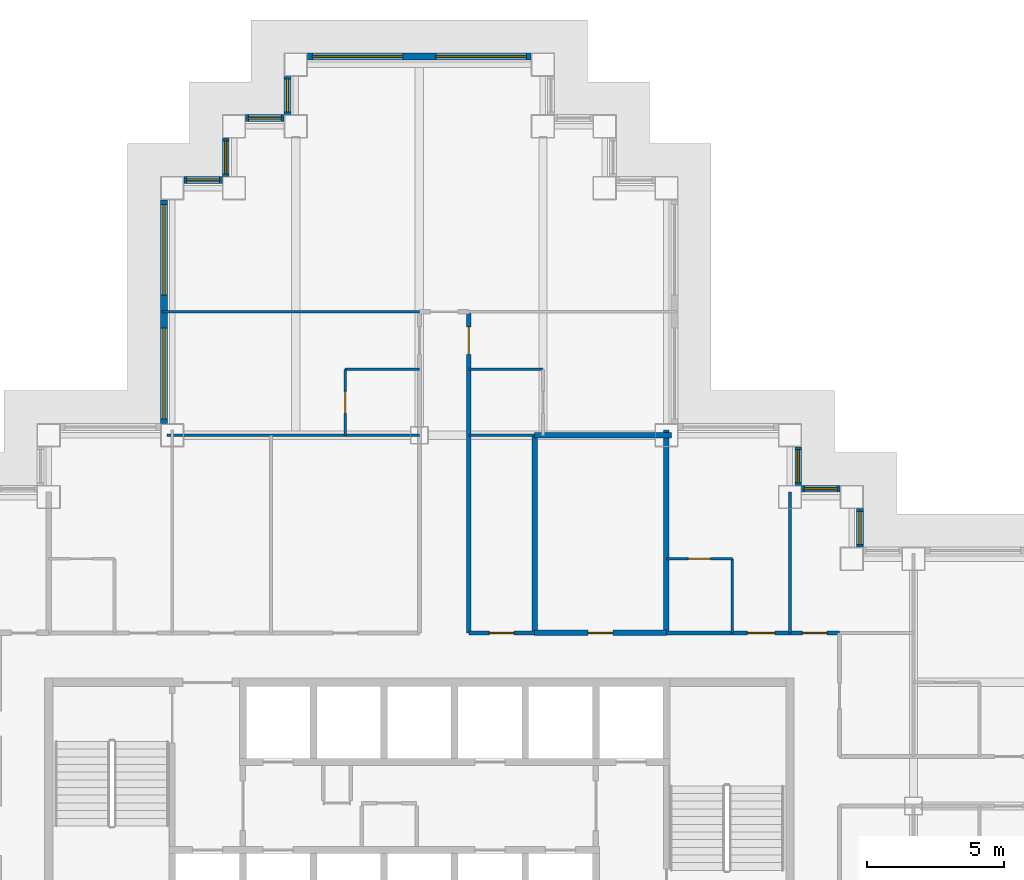
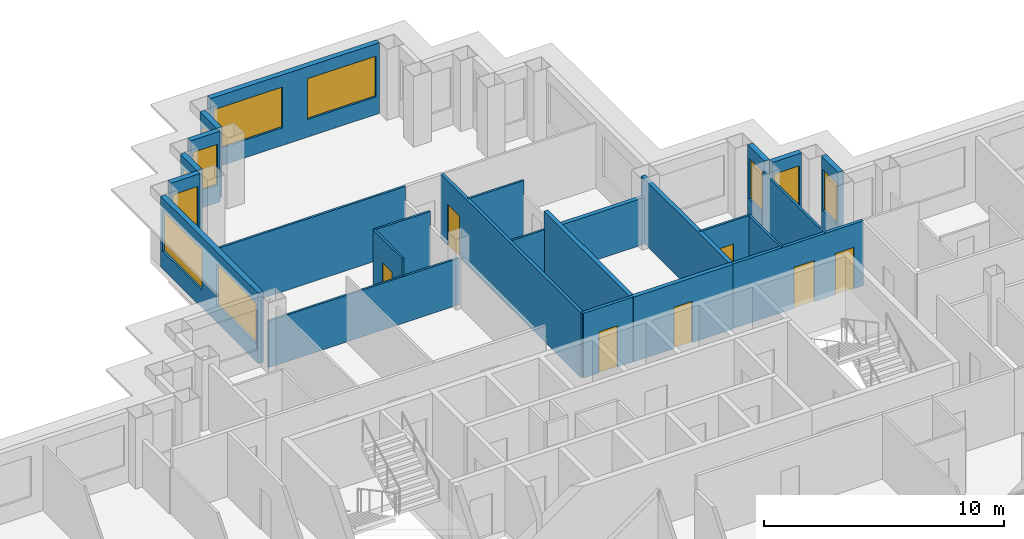
# One storey, part 9 of 15: 25 walls, 11 windows, 7 doors, 18 openings.
"""IFC4 building model written with IfcOpenShell, lengths in metres."""

from ifc_helpers import new_model, si_unit, direction, frame, frame_2d, origin, place, context, subcontext, project, spatial, rectangle, extrude, material, layer, layer_set, type_object, element, fill, save


model = new_model("IFC4")

# Units and contexts
model_context = context("Model", 3, precision=1e-05, world=origin(), true_north=direction((0.0, 1.0)))
body_context = subcontext(model_context, "Body", "Model", "MODEL_VIEW")
ifc_project = project(units=[si_unit("LENGTHUNIT", "METRE"), si_unit("AREAUNIT", "SQUARE_METRE"), si_unit("VOLUMEUNIT", "CUBIC_METRE"), si_unit("PLANEANGLEUNIT", "RADIAN"), si_unit("MASSUNIT", "GRAM", prefix="KILO")], contexts=[model_context])

# Site, building, storey
site_placement = place(None, origin())
site = spatial("IfcSite", under=ifc_project, at=site_placement, CompositionType="ELEMENT")
building_placement = place(site_placement, origin())
building = spatial("IfcBuilding", under=site, at=building_placement, Name="Caravel Reach Hotel and Residences", CompositionType="ELEMENT")
storey_placement = place(building_placement, frame((0.0, 0.0, 122.39990234375)))
storey = spatial("IfcBuildingStorey", under=building, at=storey_placement, Name="L30", CompositionType="ELEMENT", Elevation=122.39990234375)

# Wall, opening, door
ifc_material_1 = material(Name="Gypsum board on steel stud", Category="steel")
ifc_layer_1 = layer(ifc_material_1, 0.10009765625)
ifc_layer_set_1 = layer_set([ifc_layer_1], Name="Bathroom pod wall 100 mm")
wall_type_1 = type_object("IfcWallType", Name="Bathroom pod wall 100 mm", PredefinedType="PARTITIONING", material=ifc_layer_set_1)
wall_1_placement = place(storey_placement, frame((40.5, 36.0, 0.0), z_axis=(0.0, 0.0, 1.0), x_axis=(1.0, 0.0, 0.0)))
wall_1 = element("IfcWall", 1, at=wall_1_placement, inside=storey, type_object=wall_type_1, Name="L30 wall w078", PredefinedType="PARTITIONING", context=body_context, shape_type="SweptSolid", body=[
    extrude(rectangle(XDim=2.39990234375, YDim=0.10009765625, at=frame_2d((1.199951171875, 0.0))), origin(), (0.0, 0.0, 1.0), 3.300048828125),
])
opening_1_placement = place(wall_1_placement, frame((0.800048828125, 0.0, 0.0)))
opening_1 = element("IfcOpeningElement", 2, at=opening_1_placement, cuts=wall_1, Name="Opening D30-044", PredefinedType="OPENING", context=body_context, shape_type="SweptSolid", body=[
    extrude(rectangle(XDim=0.800048828125, YDim=2.10009765625, at=frame_2d((0.39990234375, 1.050048828125))), frame((0.0, 0.06005859375, 0.0), z_axis=(0.0, -1.0, 0.0), x_axis=(1.0, 0.0, 0.0)), (0.0, 0.0, 1.0), 0.1201171875),
])
ifc_material_2 = material(Name="Timber and steel door leaf", Category="steel")
door_type_1 = type_object("IfcDoorType", Name="Bathroom door 800 x 2100", OperationType="SINGLE_SWING_LEFT", PredefinedType="DOOR", material=ifc_material_2)
door_1_placement = place(opening_1_placement, origin())
door_1 = element("IfcDoor", 3, at=door_1_placement, inside=storey, type_object=door_type_1, Name="door D30-044", OperationType="SINGLE_SWING_RIGHT", OverallHeight=2.10009765625, OverallWidth=0.800048828125, PredefinedType="DOOR", context=body_context, shape_type="SweptSolid", body=[
    extrude(rectangle(XDim=0.800048828125, YDim=2.10009765625, at=frame_2d((0.39990234375, 1.050048828125))), frame((0.0, 0.02490234375, 0.0), z_axis=(0.0, -1.0, 0.0), x_axis=(1.0, 0.0, 0.0)), (0.0, 0.0, 1.0), 0.050048828125),
])
fill(opening_1, door_1)

# Walls
for number, where, z_axis, x_axis, name in (
    (4, (33.300048828125, 42.89990234375, 0.0), (0.0, 0.0, 1.0), (1.0, 0.0, 0.0), "L30 wall w079"),
    (5, (28.800048828125, 42.89990234375, 0.0), (0.0, 0.0, 1.0), (1.0, 0.0, 0.0), "L30 wall w080"),
):
    element("IfcWall", number, at=place(storey_placement, frame(where, z_axis=z_axis, x_axis=x_axis)), inside=storey, type_object=wall_type_1, Name=name, PredefinedType="PARTITIONING", context=body_context, shape_type="SweptSolid", body=[
        extrude(rectangle(XDim=2.699951171875, YDim=0.10009765625, at=frame_2d((1.35009765625, 0.0))), origin(), (0.0, 0.0, 1.0), 3.300048828125),
    ])

# Wall, opening, door
wall_2_placement = place(storey_placement, frame((28.800048828125, 40.5, 0.0), z_axis=(0.0, 0.0, 1.0), x_axis=(0.0, 1.0, 0.0)))
wall_2 = element("IfcWall", 6, at=wall_2_placement, inside=storey, type_object=wall_type_1, Name="L30 wall w087", PredefinedType="PARTITIONING", context=body_context, shape_type="SweptSolid", body=[
    extrude(rectangle(XDim=2.39990234375, YDim=0.10009765625, at=frame_2d((1.199951171875, 0.0))), origin(), (0.0, 0.0, 1.0), 3.300048828125),
])
opening_2_placement = place(wall_2_placement, frame((0.800048828125, 0.0, 0.0)))
opening_2 = element("IfcOpeningElement", 7, at=opening_2_placement, cuts=wall_2, Name="Opening D30-029", PredefinedType="OPENING", context=body_context, shape_type="SweptSolid", body=[
    extrude(rectangle(XDim=0.800048828125, YDim=2.10009765625, at=frame_2d((0.39990234375, 1.050048828125))), frame((0.0, 0.06005859375, 0.0), z_axis=(0.0, -1.0, 0.0), x_axis=(1.0, 0.0, 0.0)), (0.0, 0.0, 1.0), 0.1201171875),
])
door_2_placement = place(opening_2_placement, origin())
door_2 = element("IfcDoor", 8, at=door_2_placement, inside=storey, type_object=door_type_1, Name="door D30-029", OperationType="SINGLE_SWING_RIGHT", OverallHeight=2.10009765625, OverallWidth=0.800048828125, PredefinedType="DOOR", context=body_context, shape_type="SweptSolid", body=[
    extrude(rectangle(XDim=0.800048828125, YDim=2.10009765625, at=frame_2d((0.39990234375, 1.050048828125))), frame((0.0, 0.02490234375, 0.0), z_axis=(0.0, -1.0, 0.0), x_axis=(1.0, 0.0, 0.0)), (0.0, 0.0, 1.0), 0.050048828125),
])
fill(opening_2, door_2)

# Wall
wall_3_placement = place(storey_placement, frame((42.89990234375, 33.300048828125, 0.0), z_axis=(0.0, 0.0, 1.0), x_axis=(0.0, 1.0, 0.0)))
element("IfcWall", 9, at=wall_3_placement, inside=storey, type_object=wall_type_1, Name="L30 wall w090", PredefinedType="PARTITIONING", context=body_context, shape_type="SweptSolid", body=[
    extrude(rectangle(XDim=2.699951171875, YDim=0.10009765625, at=frame_2d((1.35009765625, 0.0))), origin(), (0.0, 0.0, 1.0), 3.300048828125),
])

# Wall, opening, door
ifc_material_3 = material(Name="Autoclaved aerated block wall")
ifc_layer_2 = layer(ifc_material_3, 0.199951171875)
ifc_layer_set_2 = layer_set([ifc_layer_2], Name="Compartment wall 200 mm EI 120")
wall_type_2 = type_object("IfcWallType", Name="Compartment wall 200 mm EI 120", PredefinedType="PARTITIONING", material=ifc_layer_set_2)
wall_4_placement = place(storey_placement, frame((35.699951171875, 33.300048828125, 0.0), z_axis=(0.0, 0.0, 1.0), x_axis=(1.0, 0.0, 0.0)))
wall_4 = element("IfcWall", 10, at=wall_4_placement, inside=storey, type_object=wall_type_2, Name="L30 wall w096", PredefinedType="PARTITIONING", context=body_context, shape_type="SweptSolid", body=[
    extrude(rectangle(XDim=4.800048828125, YDim=0.199951171875, at=frame_2d((2.39990234375, 0.0))), origin(), (0.0, 0.0, 1.0), 3.300048828125),
])
opening_3_placement = place(wall_4_placement, frame((1.949951171875, 0.0, 0.0)))
opening_3 = element("IfcOpeningElement", 11, at=opening_3_placement, cuts=wall_4, Name="Opening D30-053", PredefinedType="OPENING", context=body_context, shape_type="SweptSolid", body=[
    extrude(rectangle(XDim=0.89990234375, YDim=2.10009765625, at=frame_2d((0.449951171875, 1.050048828125))), frame((0.0, 0.10986328125, 0.0), z_axis=(0.0, -1.0, 0.0), x_axis=(1.0, 0.0, 0.0)), (0.0, 0.0, 1.0), 0.219970703125),
])
ifc_material_4 = material(Name="Steel fire door leaf", Category="steel")
door_type_2 = type_object("IfcDoorType", Name="Riser door 900 x 2100 EI 60", OperationType="SINGLE_SWING_LEFT", PredefinedType="DOOR", material=ifc_material_4)
door_3_placement = place(opening_3_placement, origin())
door_3 = element("IfcDoor", 12, at=door_3_placement, inside=storey, type_object=door_type_2, Name="door D30-053", OperationType="SINGLE_SWING_RIGHT", OverallHeight=2.10009765625, OverallWidth=0.89990234375, PredefinedType="DOOR", context=body_context, shape_type="SweptSolid", body=[
    extrude(rectangle(XDim=0.89990234375, YDim=2.10009765625, at=frame_2d((0.449951171875, 1.050048828125))), frame((0.0, 0.02490234375, 0.0), z_axis=(0.0, -1.0, 0.0), x_axis=(1.0, 0.0, 0.0)), (0.0, 0.0, 1.0), 0.050048828125),
])
fill(opening_3, door_3)

# Walls
wall_5_placement = place(storey_placement, frame((35.699951171875, 40.5, 0.0), z_axis=(0.0, 0.0, 1.0), x_axis=(1.0, 0.0, 0.0)))
element("IfcWall", 13, at=wall_5_placement, inside=storey, type_object=wall_type_2, Name="L30 wall w099", PredefinedType="PARTITIONING", context=body_context, shape_type="SweptSolid", body=[
    extrude(rectangle(XDim=4.989990234375, YDim=0.199951171875, at=frame_2d((2.4951171875, 0.0))), origin(), (0.0, 0.0, 1.0), 2.380126953125),
])
wall_6_placement = place(storey_placement, frame((35.699951171875, 33.300048828125, 0.0), z_axis=(0.0, 0.0, 1.0), x_axis=(0.0, 1.0, 0.0)))
element("IfcWall", 14, at=wall_6_placement, inside=storey, type_object=wall_type_2, Name="L30 wall w102", PredefinedType="PARTITIONING", context=body_context, shape_type="SweptSolid", body=[
    extrude(rectangle(XDim=7.199951171875, YDim=0.199951171875, at=frame_2d((3.60009765625, 0.0))), origin(), (0.0, 0.0, 1.0), 3.300048828125),
])
wall_7_placement = place(storey_placement, frame((40.5, 33.300048828125, 0.0), z_axis=(0.0, 0.0, 1.0), x_axis=(0.0, 1.0, 0.0)))
element("IfcWall", 15, at=wall_7_placement, inside=storey, type_object=wall_type_2, Name="L30 wall w103", PredefinedType="PARTITIONING", context=body_context, shape_type="SweptSolid", body=[
    extrude(rectangle(XDim=7.389892578125, YDim=0.199951171875, at=frame_2d((3.69482421875, 0.0))), origin(), (0.0, 0.0, 1.0), 3.300048828125),
])

# Wall, openings, doors
ifc_material_5 = material(Name="Gypsum board on steel stud, fire-rated", Category="steel")
ifc_layer_3 = layer(ifc_material_5, 0.14990234375)
ifc_layer_set_3 = layer_set([ifc_layer_3], Name="Corridor wall 150 mm EI 60")
wall_type_3 = type_object("IfcWallType", Name="Corridor wall 150 mm EI 60", PredefinedType="PARTITIONING", material=ifc_layer_set_3)
wall_8_placement = place(storey_placement, frame((40.5, 33.300048828125, 0.0), z_axis=(0.0, 0.0, 1.0), x_axis=(1.0, 0.0, 0.0)))
wall_8 = element("IfcWall", 16, at=wall_8_placement, inside=storey, type_object=wall_type_3, Name="L30 wall w016", PredefinedType="PARTITIONING", context=body_context, shape_type="SweptSolid", body=[
    extrude(rectangle(XDim=6.300048828125, YDim=0.14990234375, at=frame_2d((3.14990234375, 0.0))), origin(), (0.0, 0.0, 1.0), 3.300048828125),
])
opening_4_placement = place(wall_8_placement, frame((2.949951171875, 0.0, 0.0)))
opening_4 = element("IfcOpeningElement", 17, at=opening_4_placement, cuts=wall_8, Name="Opening D30-043", PredefinedType="OPENING", context=body_context, shape_type="SweptSolid", body=[
    extrude(rectangle(XDim=1.0, YDim=2.10009765625, at=frame_2d((0.5, 1.050048828125))), frame((0.0, 0.0849609375, 0.0), z_axis=(0.0, -1.0, 0.0), x_axis=(1.0, 0.0, 0.0)), (0.0, 0.0, 1.0), 0.169921875),
])
opening_5_placement = place(wall_8_placement, frame((4.949951171875, 0.0, 0.0)))
opening_5 = element("IfcOpeningElement", 18, at=opening_5_placement, cuts=wall_8, Name="Opening D30-045", PredefinedType="OPENING", context=body_context, shape_type="SweptSolid", body=[
    extrude(rectangle(XDim=0.89990234375, YDim=2.10009765625, at=frame_2d((0.449951171875, 1.050048828125))), frame((0.0, 0.0849609375, 0.0), z_axis=(0.0, -1.0, 0.0), x_axis=(1.0, 0.0, 0.0)), (0.0, 0.0, 1.0), 0.169921875),
])
ifc_material_6 = material(Name="Timber and steel door leaf", Category="steel")
door_type_3 = type_object("IfcDoorType", Name="Door 900 x 2100 timber", OperationType="SINGLE_SWING_LEFT", PredefinedType="DOOR", material=ifc_material_6)
door_4_placement = place(opening_5_placement, origin())
door_4 = element("IfcDoor", 19, at=door_4_placement, inside=storey, type_object=door_type_3, Name="door D30-045", OperationType="SINGLE_SWING_RIGHT", OverallHeight=2.10009765625, OverallWidth=0.89990234375, PredefinedType="DOOR", context=body_context, shape_type="SweptSolid", body=[
    extrude(rectangle(XDim=0.89990234375, YDim=2.10009765625, at=frame_2d((0.449951171875, 1.050048828125))), frame((0.0, 0.02490234375, 0.0), z_axis=(0.0, -1.0, 0.0), x_axis=(1.0, 0.0, 0.0)), (0.0, 0.0, 1.0), 0.050048828125),
])
fill(opening_5, door_4)
ifc_material_7 = material(Name="Steel fire door leaf", Category="steel")
door_type_4 = type_object("IfcDoorType", Name="Guest room door 1000 x 2100 EI 30", OperationType="SINGLE_SWING_LEFT", PredefinedType="DOOR", material=ifc_material_7)
door_5_placement = place(opening_4_placement, origin())
door_5 = element("IfcDoor", 20, at=door_5_placement, inside=storey, type_object=door_type_4, Name="door D30-043", OperationType="SINGLE_SWING_RIGHT", OverallHeight=2.10009765625, OverallWidth=1.0, PredefinedType="DOOR", context=body_context, shape_type="SweptSolid", body=[
    extrude(rectangle(XDim=1.0, YDim=2.10009765625, at=frame_2d((0.5, 1.050048828125))), frame((0.0, 0.02490234375, 0.0), z_axis=(0.0, -1.0, 0.0), x_axis=(1.0, 0.0, 0.0)), (0.0, 0.0, 1.0), 0.050048828125),
])
fill(opening_4, door_5)

# Wall, opening, door
wall_9_placement = place(storey_placement, frame((33.300048828125, 33.300048828125, 0.0), z_axis=(0.0, 0.0, 1.0), x_axis=(1.0, 0.0, 0.0)))
wall_9 = element("IfcWall", 21, at=wall_9_placement, inside=storey, type_object=wall_type_3, Name="L30 wall w019", PredefinedType="PARTITIONING", context=body_context, shape_type="SweptSolid", body=[
    extrude(rectangle(XDim=2.39990234375, YDim=0.14990234375, at=frame_2d((1.199951171875, 0.0))), origin(), (0.0, 0.0, 1.0), 3.300048828125),
])
opening_6_placement = place(wall_9_placement, frame((0.75, 0.0, 0.0)))
opening_6 = element("IfcOpeningElement", 22, at=opening_6_placement, cuts=wall_9, Name="Opening D30-052", PredefinedType="OPENING", context=body_context, shape_type="SweptSolid", body=[
    extrude(rectangle(XDim=0.89990234375, YDim=2.10009765625, at=frame_2d((0.449951171875, 1.050048828125))), frame((0.0, 0.0849609375, 0.0), z_axis=(0.0, -1.0, 0.0), x_axis=(1.0, 0.0, 0.0)), (0.0, 0.0, 1.0), 0.169921875),
])
door_6_placement = place(opening_6_placement, origin())
door_6 = element("IfcDoor", 23, at=door_6_placement, inside=storey, type_object=door_type_3, Name="door D30-052", OperationType="SINGLE_SWING_RIGHT", OverallHeight=2.10009765625, OverallWidth=0.89990234375, PredefinedType="DOOR", context=body_context, shape_type="SweptSolid", body=[
    extrude(rectangle(XDim=0.89990234375, YDim=2.10009765625, at=frame_2d((0.449951171875, 1.050048828125))), frame((0.0, 0.02490234375, 0.0), z_axis=(0.0, -1.0, 0.0), x_axis=(1.0, 0.0, 0.0)), (0.0, 0.0, 1.0), 0.050048828125),
])
fill(opening_6, door_6)

wall_10_placement = place(storey_placement, frame((33.300048828125, 33.300048828125, 0.0), z_axis=(0.0, 0.0, 1.0), x_axis=(0.0, 1.0, 0.0)))
wall_10 = element("IfcWall", 24, at=wall_10_placement, inside=storey, type_object=wall_type_3, Name="L30 wall w032", PredefinedType="PARTITIONING", context=body_context, shape_type="SweptSolid", body=[
    extrude(rectangle(XDim=11.699951171875, YDim=0.14990234375, at=frame_2d((5.85009765625, 0.0))), origin(), (0.0, 0.0, 1.0), 3.300048828125),
])
opening_7_placement = place(wall_10_placement, frame((10.14990234375, 0.0, 0.0)))
opening_7 = element("IfcOpeningElement", 25, at=opening_7_placement, cuts=wall_10, Name="Opening D30-030", PredefinedType="OPENING", context=body_context, shape_type="SweptSolid", body=[
    extrude(rectangle(XDim=1.0, YDim=2.10009765625, at=frame_2d((0.5, 1.050048828125))), frame((0.0, 0.0849609375, 0.0), z_axis=(0.0, -1.0, 0.0), x_axis=(1.0, 0.0, 0.0)), (0.0, 0.0, 1.0), 0.169921875),
])
door_7_placement = place(opening_7_placement, origin())
door_7 = element("IfcDoor", 26, at=door_7_placement, inside=storey, type_object=door_type_4, Name="door D30-030", OperationType="SINGLE_SWING_RIGHT", OverallHeight=2.10009765625, OverallWidth=1.0, PredefinedType="DOOR", context=body_context, shape_type="SweptSolid", body=[
    extrude(rectangle(XDim=1.0, YDim=2.10009765625, at=frame_2d((0.5, 1.050048828125))), frame((0.0, 0.02490234375, 0.0), z_axis=(0.0, -1.0, 0.0), x_axis=(1.0, 0.0, 0.0)), (0.0, 0.0, 1.0), 0.050048828125),
])
fill(opening_7, door_7)

# Wall, opening, window
ifc_material_8 = material(Name="Insulated rainscreen wall, aluminium cladding", Category="aluminium")
ifc_layer_4 = layer(ifc_material_8, 0.25)
ifc_layer_set_4 = layer_set([ifc_layer_4], Name="EW1 Tower rainscreen wall")
wall_type_4 = type_object("IfcWallType", Name="EW1 Tower rainscreen wall", PredefinedType="SOLIDWALL", material=ifc_layer_set_4)
wall_11_placement = place(storey_placement, frame((47.550048828125, 36.425048828125, 0.0), z_axis=(0.0, 0.0, 1.0), x_axis=(0.0, 1.0, 0.0)))
wall_11 = element("IfcWall", 27, at=wall_11_placement, inside=storey, type_object=wall_type_4, Name="External wall L30 E26.1", PredefinedType="SOLIDWALL", context=body_context, shape_type="SweptSolid", body=[
    extrude(rectangle(XDim=1.39990234375, YDim=0.25, at=frame_2d((0.699951171875, 0.0))), origin(), (0.0, 0.0, 1.0), 3.60009765625),
])
opening_8_placement = place(wall_11_placement, frame((0.10009765625, 0.0, 0.89990234375)))
opening_8 = element("IfcOpeningElement", 28, at=opening_8_placement, cuts=wall_11, Name="Opening WN9", PredefinedType="OPENING", context=body_context, shape_type="SweptSolid", body=[
    extrude(rectangle(XDim=1.199951171875, YDim=2.080078125, at=frame_2d((0.60009765625, 1.0400390625))), frame((0.0, 0.135009765625, 0.0), z_axis=(0.0, -1.0, 0.0), x_axis=(1.0, 0.0, 0.0)), (0.0, 0.0, 1.0), 0.27001953125),
])
ifc_material_9 = material(Name="Dark low-e glazing in black aluminium frame", Category="aluminium")
window_type_1 = type_object("IfcWindowType", Name="Hotel suite corner window 1200 x 2080", PartitioningType="SINGLE_PANEL", PredefinedType="WINDOW", material=ifc_material_9)
window_1_placement = place(opening_8_placement, origin())
window_1 = element("IfcWindow", 29, at=window_1_placement, inside=storey, type_object=window_type_1, Name="Window L30 E26.1.1", OverallHeight=2.080078125, OverallWidth=1.199951171875, PartitioningType="SINGLE_PANEL", PredefinedType="WINDOW", context=body_context, shape_type="SweptSolid", body=[
    extrude(rectangle(XDim=1.199951171875, YDim=2.080078125, at=frame_2d((0.60009765625, 1.0400390625))), frame((0.0, 0.030029296875, 0.0), z_axis=(0.0, -1.0, 0.0), x_axis=(1.0, 0.0, 0.0)), (0.0, 0.0, 1.0), 0.06005859375),
])
fill(opening_8, window_1)

wall_12_placement = place(storey_placement, frame((46.824951171875, 38.550048828125, 0.0), z_axis=(0.0, 0.0, 1.0), x_axis=(-1.0, 0.0, 0.0)))
wall_12 = element("IfcWall", 30, at=wall_12_placement, inside=storey, type_object=wall_type_4, Name="External wall L30 N27.1", PredefinedType="SOLIDWALL", context=body_context, shape_type="SweptSolid", body=[
    extrude(rectangle(XDim=1.39990234375, YDim=0.25, at=frame_2d((0.699951171875, 0.0))), origin(), (0.0, 0.0, 1.0), 3.60009765625),
])
opening_9_placement = place(wall_12_placement, frame((0.10009765625, 0.0, 0.89990234375)))
opening_9 = element("IfcOpeningElement", 31, at=opening_9_placement, cuts=wall_12, Name="Opening WN9", PredefinedType="OPENING", context=body_context, shape_type="SweptSolid", body=[
    extrude(rectangle(XDim=1.199951171875, YDim=2.080078125, at=frame_2d((0.60009765625, 1.0400390625))), frame((0.0, 0.135009765625, 0.0), z_axis=(0.0, -1.0, 0.0), x_axis=(1.0, 0.0, 0.0)), (0.0, 0.0, 1.0), 0.27001953125),
])
window_2_placement = place(opening_9_placement, origin())
window_2 = element("IfcWindow", 32, at=window_2_placement, inside=storey, type_object=window_type_1, Name="Window L30 N27.1.1", OverallHeight=2.080078125, OverallWidth=1.199951171875, PartitioningType="SINGLE_PANEL", PredefinedType="WINDOW", context=body_context, shape_type="SweptSolid", body=[
    extrude(rectangle(XDim=1.199951171875, YDim=2.080078125, at=frame_2d((0.60009765625, 1.0400390625))), frame((0.0, 0.030029296875, 0.0), z_axis=(0.0, -1.0, 0.0), x_axis=(1.0, 0.0, 0.0)), (0.0, 0.0, 1.0), 0.06005859375),
])
fill(opening_9, window_2)

wall_13_placement = place(storey_placement, frame((45.300048828125, 38.675048828125, 0.0), z_axis=(0.0, 0.0, 1.0), x_axis=(0.0, 1.0, 0.0)))
wall_13 = element("IfcWall", 33, at=wall_13_placement, inside=storey, type_object=wall_type_4, Name="External wall L30 E28.1", PredefinedType="SOLIDWALL", context=body_context, shape_type="SweptSolid", body=[
    extrude(rectangle(XDim=1.39990234375, YDim=0.25, at=frame_2d((0.699951171875, 0.0))), origin(), (0.0, 0.0, 1.0), 3.60009765625),
])
opening_10_placement = place(wall_13_placement, frame((0.10009765625, 0.0, 0.89990234375)))
opening_10 = element("IfcOpeningElement", 34, at=opening_10_placement, cuts=wall_13, Name="Opening WN9", PredefinedType="OPENING", context=body_context, shape_type="SweptSolid", body=[
    extrude(rectangle(XDim=1.199951171875, YDim=2.080078125, at=frame_2d((0.60009765625, 1.0400390625))), frame((0.0, 0.135009765625, 0.0), z_axis=(0.0, -1.0, 0.0), x_axis=(1.0, 0.0, 0.0)), (0.0, 0.0, 1.0), 0.27001953125),
])
window_3_placement = place(opening_10_placement, origin())
window_3 = element("IfcWindow", 35, at=window_3_placement, inside=storey, type_object=window_type_1, Name="Window L30 E28.1.1", OverallHeight=2.080078125, OverallWidth=1.199951171875, PartitioningType="SINGLE_PANEL", PredefinedType="WINDOW", context=body_context, shape_type="SweptSolid", body=[
    extrude(rectangle(XDim=1.199951171875, YDim=2.080078125, at=frame_2d((0.60009765625, 1.0400390625))), frame((0.0, 0.030029296875, 0.0), z_axis=(0.0, -1.0, 0.0), x_axis=(1.0, 0.0, 0.0)), (0.0, 0.0, 1.0), 0.06005859375),
])
fill(opening_10, window_3)

# Wall, openings, windows
wall_14_placement = place(storey_placement, frame((35.574951171875, 54.300048828125, 0.0), z_axis=(0.0, 0.0, 1.0), x_axis=(-1.0, 0.0, 0.0)))
wall_14 = element("IfcWall", 36, at=wall_14_placement, inside=storey, type_object=wall_type_4, Name="External wall L30 N35.1", PredefinedType="SOLIDWALL", context=body_context, shape_type="SweptSolid", body=[
    extrude(rectangle(XDim=8.14990234375, YDim=0.25, at=frame_2d((4.074951171875, 0.0))), origin(), (0.0, 0.0, 1.0), 3.60009765625),
])
opening_11_placement = place(wall_14_placement, frame((0.175048828125, 0.0, 0.89990234375)))
opening_11 = element("IfcOpeningElement", 37, at=opening_11_placement, cuts=wall_14, Name="Opening WN4", PredefinedType="OPENING", context=body_context, shape_type="SweptSolid", body=[
    extrude(rectangle(XDim=3.300048828125, YDim=2.080078125, at=frame_2d((1.64990234375, 1.0400390625))), frame((0.0, 0.135009765625, 0.0), z_axis=(0.0, -1.0, 0.0), x_axis=(1.0, 0.0, 0.0)), (0.0, 0.0, 1.0), 0.27001953125),
])
opening_12_placement = place(wall_14_placement, frame((4.675048828125, 0.0, 0.89990234375)))
opening_12 = element("IfcOpeningElement", 38, at=opening_12_placement, cuts=wall_14, Name="Opening WN4", PredefinedType="OPENING", context=body_context, shape_type="SweptSolid", body=[
    extrude(rectangle(XDim=3.300048828125, YDim=2.080078125, at=frame_2d((1.64990234375, 1.0400390625))), frame((0.0, 0.135009765625, 0.0), z_axis=(0.0, -1.0, 0.0), x_axis=(1.0, 0.0, 0.0)), (0.0, 0.0, 1.0), 0.27001953125),
])
ifc_material_10 = material(Name="Dark low-e glazing in black aluminium frame", Category="aluminium")
window_type_2 = type_object("IfcWindowType", Name="Hotel guest room window 3300 x 2080", PartitioningType="SINGLE_PANEL", PredefinedType="WINDOW", material=ifc_material_10)
window_4_placement = place(opening_11_placement, origin())
window_4 = element("IfcWindow", 39, at=window_4_placement, inside=storey, type_object=window_type_2, Name="Window L30 N35.1.1", OverallHeight=2.080078125, OverallWidth=3.300048828125, PartitioningType="SINGLE_PANEL", PredefinedType="WINDOW", context=body_context, shape_type="SweptSolid", body=[
    extrude(rectangle(XDim=3.300048828125, YDim=2.080078125, at=frame_2d((1.64990234375, 1.0400390625))), frame((0.0, 0.030029296875, 0.0), z_axis=(0.0, -1.0, 0.0), x_axis=(1.0, 0.0, 0.0)), (0.0, 0.0, 1.0), 0.06005859375),
])
fill(opening_11, window_4)
window_5_placement = place(opening_12_placement, origin())
window_5 = element("IfcWindow", 40, at=window_5_placement, inside=storey, type_object=window_type_2, Name="Window L30 N35.1.2", OverallHeight=2.080078125, OverallWidth=3.300048828125, PartitioningType="SINGLE_PANEL", PredefinedType="WINDOW", context=body_context, shape_type="SweptSolid", body=[
    extrude(rectangle(XDim=3.300048828125, YDim=2.080078125, at=frame_2d((1.64990234375, 1.0400390625))), frame((0.0, 0.030029296875, 0.0), z_axis=(0.0, -1.0, 0.0), x_axis=(1.0, 0.0, 0.0)), (0.0, 0.0, 1.0), 0.06005859375),
])
fill(opening_12, window_5)

# Wall, opening, window
wall_15_placement = place(storey_placement, frame((26.699951171875, 53.574951171875, 0.0), z_axis=(0.0, 0.0, 1.0), x_axis=(0.0, -1.0, 0.0)))
wall_15 = element("IfcWall", 41, at=wall_15_placement, inside=storey, type_object=wall_type_4, Name="External wall L30 W36.1", PredefinedType="SOLIDWALL", context=body_context, shape_type="SweptSolid", body=[
    extrude(rectangle(XDim=1.39990234375, YDim=0.25, at=frame_2d((0.699951171875, 0.0))), origin(), (0.0, 0.0, 1.0), 3.60009765625),
])
opening_13_placement = place(wall_15_placement, frame((0.10009765625, 0.0, 0.89990234375)))
opening_13 = element("IfcOpeningElement", 42, at=opening_13_placement, cuts=wall_15, Name="Opening WN9", PredefinedType="OPENING", context=body_context, shape_type="SweptSolid", body=[
    extrude(rectangle(XDim=1.199951171875, YDim=2.080078125, at=frame_2d((0.60009765625, 1.0400390625))), frame((0.0, 0.135009765625, 0.0), z_axis=(0.0, -1.0, 0.0), x_axis=(1.0, 0.0, 0.0)), (0.0, 0.0, 1.0), 0.27001953125),
])
window_6_placement = place(opening_13_placement, origin())
window_6 = element("IfcWindow", 43, at=window_6_placement, inside=storey, type_object=window_type_1, Name="Window L30 W36.1.1", OverallHeight=2.080078125, OverallWidth=1.199951171875, PartitioningType="SINGLE_PANEL", PredefinedType="WINDOW", context=body_context, shape_type="SweptSolid", body=[
    extrude(rectangle(XDim=1.199951171875, YDim=2.080078125, at=frame_2d((0.60009765625, 1.0400390625))), frame((0.0, 0.030029296875, 0.0), z_axis=(0.0, -1.0, 0.0), x_axis=(1.0, 0.0, 0.0)), (0.0, 0.0, 1.0), 0.06005859375),
])
fill(opening_13, window_6)

wall_16_placement = place(storey_placement, frame((26.574951171875, 52.050048828125, 0.0), z_axis=(0.0, 0.0, 1.0), x_axis=(-1.0, 0.0, 0.0)))
wall_16 = element("IfcWall", 44, at=wall_16_placement, inside=storey, type_object=wall_type_4, Name="External wall L30 N37.1", PredefinedType="SOLIDWALL", context=body_context, shape_type="SweptSolid", body=[
    extrude(rectangle(XDim=1.39990234375, YDim=0.25, at=frame_2d((0.699951171875, 0.0))), origin(), (0.0, 0.0, 1.0), 3.60009765625),
])
opening_14_placement = place(wall_16_placement, frame((0.10009765625, 0.0, 0.89990234375)))
opening_14 = element("IfcOpeningElement", 45, at=opening_14_placement, cuts=wall_16, Name="Opening WN9", PredefinedType="OPENING", context=body_context, shape_type="SweptSolid", body=[
    extrude(rectangle(XDim=1.199951171875, YDim=2.080078125, at=frame_2d((0.60009765625, 1.0400390625))), frame((0.0, 0.135009765625, 0.0), z_axis=(0.0, -1.0, 0.0), x_axis=(1.0, 0.0, 0.0)), (0.0, 0.0, 1.0), 0.27001953125),
])
window_7_placement = place(opening_14_placement, origin())
window_7 = element("IfcWindow", 46, at=window_7_placement, inside=storey, type_object=window_type_1, Name="Window L30 N37.1.1", OverallHeight=2.080078125, OverallWidth=1.199951171875, PartitioningType="SINGLE_PANEL", PredefinedType="WINDOW", context=body_context, shape_type="SweptSolid", body=[
    extrude(rectangle(XDim=1.199951171875, YDim=2.080078125, at=frame_2d((0.60009765625, 1.0400390625))), frame((0.0, 0.030029296875, 0.0), z_axis=(0.0, -1.0, 0.0), x_axis=(1.0, 0.0, 0.0)), (0.0, 0.0, 1.0), 0.06005859375),
])
fill(opening_14, window_7)

wall_17_placement = place(storey_placement, frame((24.449951171875, 51.324951171875, 0.0), z_axis=(0.0, 0.0, 1.0), x_axis=(0.0, -1.0, 0.0)))
wall_17 = element("IfcWall", 47, at=wall_17_placement, inside=storey, type_object=wall_type_4, Name="External wall L30 W38.1", PredefinedType="SOLIDWALL", context=body_context, shape_type="SweptSolid", body=[
    extrude(rectangle(XDim=1.39990234375, YDim=0.25, at=frame_2d((0.699951171875, 0.0))), origin(), (0.0, 0.0, 1.0), 3.60009765625),
])
opening_15_placement = place(wall_17_placement, frame((0.10009765625, 0.0, 0.89990234375)))
opening_15 = element("IfcOpeningElement", 48, at=opening_15_placement, cuts=wall_17, Name="Opening WN9", PredefinedType="OPENING", context=body_context, shape_type="SweptSolid", body=[
    extrude(rectangle(XDim=1.199951171875, YDim=2.080078125, at=frame_2d((0.60009765625, 1.0400390625))), frame((0.0, 0.135009765625, 0.0), z_axis=(0.0, -1.0, 0.0), x_axis=(1.0, 0.0, 0.0)), (0.0, 0.0, 1.0), 0.27001953125),
])
window_8_placement = place(opening_15_placement, origin())
window_8 = element("IfcWindow", 49, at=window_8_placement, inside=storey, type_object=window_type_1, Name="Window L30 W38.1.1", OverallHeight=2.080078125, OverallWidth=1.199951171875, PartitioningType="SINGLE_PANEL", PredefinedType="WINDOW", context=body_context, shape_type="SweptSolid", body=[
    extrude(rectangle(XDim=1.199951171875, YDim=2.080078125, at=frame_2d((0.60009765625, 1.0400390625))), frame((0.0, 0.030029296875, 0.0), z_axis=(0.0, -1.0, 0.0), x_axis=(1.0, 0.0, 0.0)), (0.0, 0.0, 1.0), 0.06005859375),
])
fill(opening_15, window_8)

wall_18_placement = place(storey_placement, frame((24.324951171875, 49.800048828125, 0.0), z_axis=(0.0, 0.0, 1.0), x_axis=(-1.0, 0.0, 0.0)))
wall_18 = element("IfcWall", 50, at=wall_18_placement, inside=storey, type_object=wall_type_4, Name="External wall L30 N39.1", PredefinedType="SOLIDWALL", context=body_context, shape_type="SweptSolid", body=[
    extrude(rectangle(XDim=1.39990234375, YDim=0.25, at=frame_2d((0.699951171875, 0.0))), origin(), (0.0, 0.0, 1.0), 3.60009765625),
])
opening_16_placement = place(wall_18_placement, frame((0.10009765625, 0.0, 0.89990234375)))
opening_16 = element("IfcOpeningElement", 51, at=opening_16_placement, cuts=wall_18, Name="Opening WN9", PredefinedType="OPENING", context=body_context, shape_type="SweptSolid", body=[
    extrude(rectangle(XDim=1.199951171875, YDim=2.080078125, at=frame_2d((0.60009765625, 1.0400390625))), frame((0.0, 0.135009765625, 0.0), z_axis=(0.0, -1.0, 0.0), x_axis=(1.0, 0.0, 0.0)), (0.0, 0.0, 1.0), 0.27001953125),
])
window_9_placement = place(opening_16_placement, origin())
window_9 = element("IfcWindow", 52, at=window_9_placement, inside=storey, type_object=window_type_1, Name="Window L30 N39.1.1", OverallHeight=2.080078125, OverallWidth=1.199951171875, PartitioningType="SINGLE_PANEL", PredefinedType="WINDOW", context=body_context, shape_type="SweptSolid", body=[
    extrude(rectangle(XDim=1.199951171875, YDim=2.080078125, at=frame_2d((0.60009765625, 1.0400390625))), frame((0.0, 0.030029296875, 0.0), z_axis=(0.0, -1.0, 0.0), x_axis=(1.0, 0.0, 0.0)), (0.0, 0.0, 1.0), 0.06005859375),
])
fill(opening_16, window_9)

# Wall, openings, windows
wall_19_placement = place(storey_placement, frame((22.199951171875, 49.074951171875, 0.0), z_axis=(0.0, 0.0, 1.0), x_axis=(0.0, -1.0, 0.0)))
wall_19 = element("IfcWall", 53, at=wall_19_placement, inside=storey, type_object=wall_type_4, Name="External wall L30 W40.1", PredefinedType="SOLIDWALL", context=body_context, shape_type="SweptSolid", body=[
    extrude(rectangle(XDim=8.14990234375, YDim=0.25, at=frame_2d((4.074951171875, 0.0))), origin(), (0.0, 0.0, 1.0), 3.60009765625),
])
opening_17_placement = place(wall_19_placement, frame((0.175048828125, 0.0, 0.89990234375)))
opening_17 = element("IfcOpeningElement", 54, at=opening_17_placement, cuts=wall_19, Name="Opening WN4", PredefinedType="OPENING", context=body_context, shape_type="SweptSolid", body=[
    extrude(rectangle(XDim=3.300048828125, YDim=2.080078125, at=frame_2d((1.64990234375, 1.0400390625))), frame((0.0, 0.135009765625, 0.0), z_axis=(0.0, -1.0, 0.0), x_axis=(1.0, 0.0, 0.0)), (0.0, 0.0, 1.0), 0.27001953125),
])
opening_18_placement = place(wall_19_placement, frame((4.675048828125, 0.0, 0.89990234375)))
opening_18 = element("IfcOpeningElement", 55, at=opening_18_placement, cuts=wall_19, Name="Opening WN4", PredefinedType="OPENING", context=body_context, shape_type="SweptSolid", body=[
    extrude(rectangle(XDim=3.300048828125, YDim=2.080078125, at=frame_2d((1.64990234375, 1.0400390625))), frame((0.0, 0.135009765625, 0.0), z_axis=(0.0, -1.0, 0.0), x_axis=(1.0, 0.0, 0.0)), (0.0, 0.0, 1.0), 0.27001953125),
])
window_10_placement = place(opening_17_placement, origin())
window_10 = element("IfcWindow", 56, at=window_10_placement, inside=storey, type_object=window_type_2, Name="Window L30 W40.1.1", OverallHeight=2.080078125, OverallWidth=3.300048828125, PartitioningType="SINGLE_PANEL", PredefinedType="WINDOW", context=body_context, shape_type="SweptSolid", body=[
    extrude(rectangle(XDim=3.300048828125, YDim=2.080078125, at=frame_2d((1.64990234375, 1.0400390625))), frame((0.0, 0.030029296875, 0.0), z_axis=(0.0, -1.0, 0.0), x_axis=(1.0, 0.0, 0.0)), (0.0, 0.0, 1.0), 0.06005859375),
])
fill(opening_17, window_10)
window_11_placement = place(opening_18_placement, origin())
window_11 = element("IfcWindow", 57, at=window_11_placement, inside=storey, type_object=window_type_2, Name="Window L30 W40.1.2", OverallHeight=2.080078125, OverallWidth=3.300048828125, PartitioningType="SINGLE_PANEL", PredefinedType="WINDOW", context=body_context, shape_type="SweptSolid", body=[
    extrude(rectangle(XDim=3.300048828125, YDim=2.080078125, at=frame_2d((1.64990234375, 1.0400390625))), frame((0.0, 0.030029296875, 0.0), z_axis=(0.0, -1.0, 0.0), x_axis=(1.0, 0.0, 0.0)), (0.0, 0.0, 1.0), 0.06005859375),
])
fill(opening_18, window_11)

# Walls
ifc_material_11 = material(Name="Gypsum board on steel stud", Category="steel")
ifc_layer_5 = layer(ifc_material_11, 0.10009765625)
ifc_layer_set_5 = layer_set([ifc_layer_5], Name="Partition 100 mm")
wall_type_5 = type_object("IfcWallType", Name="Partition 100 mm", PredefinedType="PARTITIONING", material=ifc_layer_set_5)
wall_20_placement = place(storey_placement, frame((33.300048828125, 40.5, 0.0), z_axis=(0.0, 0.0, 1.0), x_axis=(1.0, 0.0, 0.0)))
element("IfcWall", 58, at=wall_20_placement, inside=storey, type_object=wall_type_5, Name="L30 wall w042", PredefinedType="PARTITIONING", context=body_context, shape_type="SweptSolid", body=[
    extrude(rectangle(XDim=2.39990234375, YDim=0.10009765625, at=frame_2d((1.199951171875, 0.0))), origin(), (0.0, 0.0, 1.0), 2.380126953125),
])
wall_21_placement = place(storey_placement, frame((22.31005859375, 40.5, 0.0), z_axis=(0.0, 0.0, 1.0), x_axis=(1.0, 0.0, 0.0)))
element("IfcWall", 59, at=wall_21_placement, inside=storey, type_object=wall_type_5, Name="L30 wall w043", PredefinedType="PARTITIONING", context=body_context, shape_type="SweptSolid", body=[
    extrude(rectangle(XDim=9.18994140625, YDim=0.10009765625, at=frame_2d((4.594970703125, 0.0))), origin(), (0.0, 0.0, 1.0), 2.380126953125),
])
wall_22_placement = place(storey_placement, frame((22.135009765625, 45.0, 0.0), z_axis=(0.0, 0.0, 1.0), x_axis=(1.0, 0.0, 0.0)))
element("IfcWall", 60, at=wall_22_placement, inside=storey, type_object=wall_type_5, Name="L30 wall w046", PredefinedType="PARTITIONING", context=body_context, shape_type="SweptSolid", body=[
    extrude(rectangle(XDim=9.364990234375, YDim=0.10009765625, at=frame_2d((4.6826171875, 0.0))), origin(), (0.0, 0.0, 1.0), 3.300048828125),
])
wall_23_placement = place(storey_placement, frame((45.0, 33.300048828125, 0.0), z_axis=(0.0, 0.0, 1.0), x_axis=(0.0, 1.0, 0.0)))
element("IfcWall", 61, at=wall_23_placement, inside=storey, type_object=wall_type_5, Name="L30 wall w055", PredefinedType="PARTITIONING", context=body_context, shape_type="SweptSolid", body=[
    extrude(rectangle(XDim=5.139892578125, YDim=0.10009765625, at=frame_2d((2.56982421875, 0.0))), origin(), (0.0, 0.0, 1.0), 3.300048828125),
])

save(model, "model.ifc")
